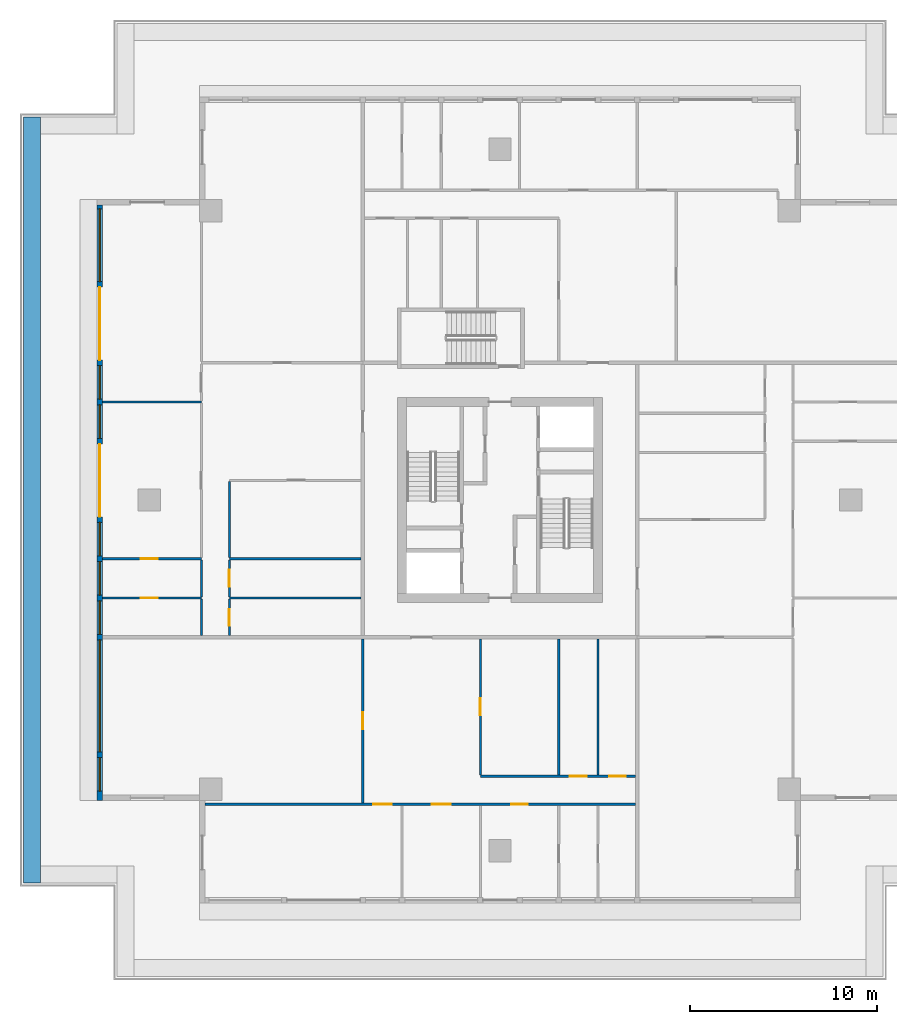
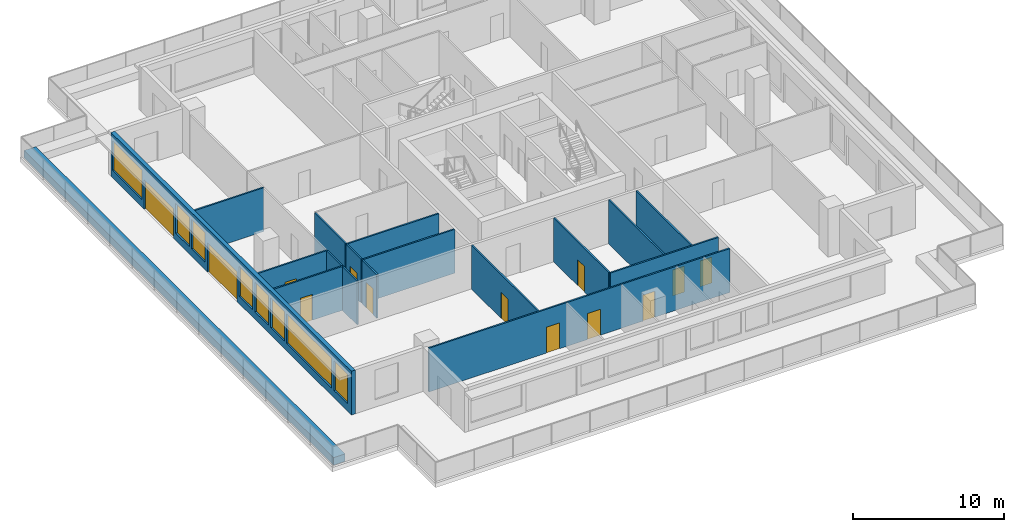
# One storey, part 2 of 11: 18 walls, 13 doors, 8 windows, 21 openings.
"""IFC4 building model written with IfcOpenShell, lengths in metres."""

import ifcopenshell
import ifcopenshell.guid

model = None  # the IFC model being written
_history = None  # IfcOwnerHistory: only IFC2X3 demands one
_inside = {}  # id of a spatial element -> (the spatial element, [elements in it])
_under = {}  # id of a project, library or spatial element -> (it, [spatial elements below it])
_declared = {}  # id of a project -> (the project, [libraries it declares])
_typed = {}  # id of a type object -> (the type object, [elements of that type])
_made_of = {}  # id of a material, layer set ... -> (it, [elements and type objects made of it])


def new_model(schema):
    """Start an empty IFC model of exactly this schema.

    Asked for "IFC4X3", IfcOpenShell would pick the latest addendum, in which some entities
    have other attributes; the version numbers below select the first issue.
    IFC2X3 requires an IfcOwnerHistory on every rooted entity: one is made here for all.
    """
    global model, _history
    if schema == "IFC4X3":
        model = ifcopenshell.file(schema_version=(4, 3, 0, 0))
    else:
        model = ifcopenshell.file(schema=schema)
    _inside.clear()
    _under.clear()
    _declared.clear()
    _typed.clear()
    _made_of.clear()
    _history = None
    if model.schema == "IFC2X3":
        org = make("IfcOrganization", Name="unknown")
        user = make(
            "IfcPersonAndOrganization",
            ThePerson=make("IfcPerson", FamilyName="unknown"),
            TheOrganization=org,
        )
        app = make(
            "IfcApplication",
            ApplicationDeveloper=org,
            Version="unknown",
            ApplicationFullName="unknown",
            ApplicationIdentifier="unknown",
        )
        _history = make(
            "IfcOwnerHistory",
            OwningUser=user,
            OwningApplication=app,
            ChangeAction="ADDED",
            CreationDate=0,
        )
    return model


def make(cls, **values):
    """One entity of the class cls with the attributes given. An attribute that is None is left unset."""
    return model.create_entity(
        cls, **{name: value for name, value in values.items() if value is not None}
    )


def rooted(cls, **values):
    """An entity with a GlobalId (a new one), such as an element, a storey or a relation."""
    return make(cls, GlobalId=ifcopenshell.guid.new(), OwnerHistory=_history, **values)


def si_unit(unit_type, name, prefix=None):
    """IfcSIUnit, for example si_unit("LENGTHUNIT", "METRE", prefix="MILLI")."""
    return make("IfcSIUnit", UnitType=unit_type, Prefix=prefix, Name=name)


def assignment(units):
    """IfcUnitAssignment: the units of a project."""
    return None if units is None else make("IfcUnitAssignment", Units=units)


def point(xyz):
    """IfcCartesianPoint."""
    return None if xyz is None else make("IfcCartesianPoint", Coordinates=xyz)


def direction(xyz):
    """IfcDirection."""
    return None if xyz is None else make("IfcDirection", DirectionRatios=xyz)


def frame(location, z_axis=None, x_axis=None):
    """IfcAxis2Placement3D, a coordinate frame: its origin and axes. An axis left out is left unset."""
    return make(
        "IfcAxis2Placement3D",
        Location=point(location),
        Axis=direction(z_axis),
        RefDirection=direction(x_axis),
    )


def frame_2d(location, x_axis=None):
    """IfcAxis2Placement2D, a coordinate frame in the plane: its origin and x axis."""
    return make(
        "IfcAxis2Placement2D", Location=point(location), RefDirection=direction(x_axis)
    )


def origin():
    """The frame at (0, 0, 0) with its axes left unset."""
    return frame((0.0, 0.0, 0.0))


def place(relative_to, where):
    """IfcLocalPlacement: puts the frame where relative to a parent placement (None: the world)."""
    return make(
        "IfcLocalPlacement", PlacementRelTo=relative_to, RelativePlacement=where
    )


def context(
    kind, dimensions, precision=None, world=None, true_north=None, identifier=None
):
    """IfcGeometricRepresentationContext, for example the 3D "Model" context."""
    return make(
        "IfcGeometricRepresentationContext",
        ContextIdentifier=identifier,
        ContextType=kind,
        CoordinateSpaceDimension=dimensions,
        Precision=precision,
        WorldCoordinateSystem=world,
        TrueNorth=true_north,
    )


def subcontext(parent, identifier, kind, view, scale=None):
    """IfcGeometricRepresentationSubContext, for example "Body" below "Model"."""
    return make(
        "IfcGeometricRepresentationSubContext",
        ContextIdentifier=identifier,
        ContextType=kind,
        ParentContext=parent,
        TargetScale=scale,
        TargetView=view,
    )


def project(units=None, contexts=None):
    """IfcProject with its units and contexts."""
    return rooted(
        "IfcProject",
        Name="project",
        RepresentationContexts=contexts,
        UnitsInContext=assignment(units),
    )


def spatial(cls, under=None, at=None, **own):
    """A site, building, storey or space (cls), placed at a placement, below another one or the project."""
    s = rooted(cls, ObjectPlacement=at, **own)
    if under is not None:
        _under.setdefault(under.id(), (under, []))[1].append(s)
    return s


def profile(cls, at=None, kind="AREA", **sizes):
    """A parametric profile (cls). Its sizes go by their IFC names, for example OverallWidth=200.0."""
    return make(cls, ProfileType=kind, Position=at, **sizes)


def rectangle(**sizes):
    """IfcRectangleProfileDef."""
    return profile("IfcRectangleProfileDef", **sizes)


def extrude(swept, where, along, depth):
    """IfcExtrudedAreaSolid: the profile swept, set in the frame where, extruded along a direction by depth."""
    return make(
        "IfcExtrudedAreaSolid",
        SweptArea=swept,
        Position=where,
        ExtrudedDirection=direction(along),
        Depth=depth,
    )


def shape(context_of_items, identifier, shape_type, items):
    """IfcShapeRepresentation: the items that make up one representation, for example the "Body"."""
    return make(
        "IfcShapeRepresentation",
        ContextOfItems=context_of_items,
        RepresentationIdentifier=identifier,
        RepresentationType=shape_type,
        Items=items,
    )


def material(Name=None, Category=None):
    """IfcMaterial."""
    return make("IfcMaterial", Name=Name, Category=Category)


def layer(
    of_material, thickness, ventilated=None, Name=None, Category=None, Priority=None
):
    """IfcMaterialLayer: one layer of a wall or slab, of a material (None: an air gap)."""
    return make(
        "IfcMaterialLayer",
        Material=of_material,
        LayerThickness=thickness,
        IsVentilated=ventilated,
        Name=Name,
        Category=Category,
        Priority=Priority,
    )


def layer_set(layers, Name=None):
    """IfcMaterialLayerSet."""
    return make("IfcMaterialLayerSet", MaterialLayers=layers, LayerSetName=Name)


def made_of(thing, what):
    """Note that an element or type object is made of a material, layer set ...; save() writes the relation."""
    if what is not None:
        _made_of.setdefault(what.id(), (what, []))[1].append(thing)
    return thing


def type_object(cls, material=None, **own):
    """A type object (cls), such as IfcWallType, which elements share."""
    return made_of(rooted(cls, **own), material)


def element(
    cls,
    number,
    at=None,
    inside=None,
    cuts=None,
    type_object=None,
    material=None,
    context=None,
    identifier="Body",
    shape_type=None,
    held_by="IfcProductDefinitionShape",
    body=None,
    shapes=None,
    **own,
):
    """One element of the class cls, such as IfcWall. Its Tag is "e" and its number.

    at: its placement. inside: the storey or other place that contains it. cuts: it is an
    opening in that element (IfcRelVoidsElement). A single representation is given by context,
    identifier, shape_type and body (its items); several are given by shapes. held_by: the class
    of the entity that holds the representations. save() writes the other relations.
    """
    e = rooted(cls, Tag="e%d" % number, ObjectPlacement=at, **own)
    if body is not None:
        shapes = [shape(context, identifier, shape_type, body)]
    if shapes is not None:
        e.Representation = make(held_by, Representations=shapes)
    if inside is not None:
        _inside.setdefault(inside.id(), (inside, []))[1].append(e)
    if cuts is not None:
        rooted(
            "IfcRelVoidsElement", RelatingBuildingElement=cuts, RelatedOpeningElement=e
        )
    if type_object is not None:
        _typed.setdefault(type_object.id(), (type_object, []))[1].append(e)
    return made_of(e, material)


def fill(opening, filler):
    """IfcRelFillsElement: the door or window that sits in an opening."""
    return rooted(
        "IfcRelFillsElement",
        RelatingOpeningElement=opening,
        RelatedBuildingElement=filler,
    )


def aggregate(whole, parts):
    """IfcRelAggregates: a whole, such as a stair, and the parts it consists of."""
    return rooted("IfcRelAggregates", RelatingObject=whole, RelatedObjects=parts)


def save(model, path):
    """Write the relations noted so far, then the file.

    IfcRelAggregates (storeys below a building ...), IfcRelContainedInSpatialStructure (elements
    in a storey), IfcRelDefinesByType, IfcRelAssociatesMaterial and IfcRelDeclares: one each for
    every whole, place, type object, material and project.
    """
    for whole, parts in _under.values():
        aggregate(whole, parts)
    for where, things in _inside.values():
        rooted(
            "IfcRelContainedInSpatialStructure",
            RelatedElements=things,
            RelatingStructure=where,
        )
    for kind, things in _typed.values():
        rooted("IfcRelDefinesByType", RelatedObjects=things, RelatingType=kind)
    for what, things in _made_of.values():
        rooted("IfcRelAssociatesMaterial", RelatedObjects=things, RelatingMaterial=what)
    for by, libraries in _declared.values():
        rooted("IfcRelDeclares", RelatingContext=by, RelatedDefinitions=libraries)
    model.write(path)


model = new_model("IFC4")

# Units and contexts
model_context = context("Model", 3, precision=1e-05, world=origin(), true_north=direction((0.0, 1.0)))
body_context = subcontext(model_context, "Body", "Model", "MODEL_VIEW")
ifc_project = project(units=[si_unit("LENGTHUNIT", "METRE"), si_unit("AREAUNIT", "SQUARE_METRE"), si_unit("VOLUMEUNIT", "CUBIC_METRE"), si_unit("PLANEANGLEUNIT", "RADIAN"), si_unit("MASSUNIT", "GRAM", prefix="KILO")], contexts=[model_context])

# Site, building, storey
site_placement = place(None, origin())
site = spatial("IfcSite", under=ifc_project, at=site_placement, CompositionType="ELEMENT")
building_placement = place(site_placement, origin())
building = spatial("IfcBuilding", under=site, at=building_placement, Name="Khepri Terraces", CompositionType="ELEMENT")
storey_placement = place(building_placement, frame((0.0, 0.0, 292.800048828125)))
storey = spatial("IfcBuildingStorey", under=building, at=storey_placement, Name="L70", CompositionType="ELEMENT", Elevation=292.800048828125)

# Wall, openings, doors, windows
ifc_material_1 = material(Name="Precast concrete C50/60 warm stone", Category="masonry")
ifc_layer_1 = layer(ifc_material_1, 0.300048828125, Name="Precast concrete C50/60 warm stone", Category="masonry")
ifc_layer_set_1 = layer_set([ifc_layer_1], Name="Precast concrete C50/60 warm stone")
wall_type_1 = type_object("IfcWallType", Name="WL-EXT-PRECAST-300", PredefinedType="STANDARD", material=ifc_layer_set_1)
wall_1_placement = place(storey_placement, frame((-21.449951171875, 15.800048828125, 0.0), z_axis=(0.0, 0.0, 1.0), x_axis=(0.0, -1.0, 0.0)))
wall_1 = element("IfcWall", 1, at=wall_1_placement, inside=storey, type_object=wall_type_1, Name="External wall L70 W", PredefinedType="STANDARD", context=body_context, shape_type="SweptSolid", body=[
    extrude(rectangle(XDim=31.900146484375, YDim=0.300048828125, at=frame_2d((15.9501953125, 0.0))), origin(), (0.0, 0.0, 1.0), 3.550048828125),
])
opening_1_placement = place(wall_1_placement, frame((0.199951171875, 0.0, 0.60009765625)))
opening_1 = element("IfcOpeningElement", 2, at=opening_1_placement, cuts=wall_1, Name="Opening WC2", PredefinedType="OPENING", context=body_context, shape_type="SweptSolid", body=[
    extrude(rectangle(XDim=3.89990234375, YDim=2.39990234375, at=frame_2d((1.949951171875, 1.199951171875))), frame((0.0, 0.16015625, 0.0), z_axis=(0.0, -1.0, 0.0), x_axis=(1.0, 0.0, 0.0)), (0.0, 0.0, 1.0), 0.320068359375),
])
opening_2_placement = place(wall_1_placement, frame((4.39990234375, 0.0, 0.0)))
opening_2 = element("IfcOpeningElement", 3, at=opening_2_placement, cuts=wall_1, Name="Opening ED-L70-09", PredefinedType="OPENING", context=body_context, shape_type="SweptSolid", body=[
    extrude(rectangle(XDim=3.89990234375, YDim=2.39990234375, at=frame_2d((1.949951171875, 1.199951171875))), frame((0.0, 0.16015625, 0.0), z_axis=(0.0, -1.0, 0.0), x_axis=(1.0, 0.0, 0.0)), (0.0, 0.0, 1.0), 0.320068359375),
])
opening_3_placement = place(wall_1_placement, frame((8.60009765625, 0.0, 0.60009765625)))
opening_3 = element("IfcOpeningElement", 4, at=opening_3_placement, cuts=wall_1, Name="Opening WC1", PredefinedType="OPENING", context=body_context, shape_type="SweptSolid", body=[
    extrude(rectangle(XDim=1.800048828125, YDim=2.39990234375, at=frame_2d((0.89990234375, 1.199951171875))), frame((0.0, 0.16015625, 0.0), z_axis=(0.0, -1.0, 0.0), x_axis=(1.0, 0.0, 0.0)), (0.0, 0.0, 1.0), 0.320068359375),
])
opening_4_placement = place(wall_1_placement, frame((10.699951171875, 0.0, 0.60009765625)))
opening_4 = element("IfcOpeningElement", 5, at=opening_4_placement, cuts=wall_1, Name="Opening WC1", PredefinedType="OPENING", context=body_context, shape_type="SweptSolid", body=[
    extrude(rectangle(XDim=1.800048828125, YDim=2.39990234375, at=frame_2d((0.89990234375, 1.199951171875))), frame((0.0, 0.16015625, 0.0), z_axis=(0.0, -1.0, 0.0), x_axis=(1.0, 0.0, 0.0)), (0.0, 0.0, 1.0), 0.320068359375),
])
opening_5_placement = place(wall_1_placement, frame((12.800048828125, 0.0, 0.0)))
opening_5 = element("IfcOpeningElement", 6, at=opening_5_placement, cuts=wall_1, Name="Opening ED-L70-10", PredefinedType="OPENING", context=body_context, shape_type="SweptSolid", body=[
    extrude(rectangle(XDim=3.89990234375, YDim=2.39990234375, at=frame_2d((1.949951171875, 1.199951171875))), frame((0.0, 0.16015625, 0.0), z_axis=(0.0, -1.0, 0.0), x_axis=(1.0, 0.0, 0.0)), (0.0, 0.0, 1.0), 0.320068359375),
])
opening_6_placement = place(wall_1_placement, frame((17.0, 0.0, 0.60009765625)))
opening_6 = element("IfcOpeningElement", 7, at=opening_6_placement, cuts=wall_1, Name="Opening WC1", PredefinedType="OPENING", context=body_context, shape_type="SweptSolid", body=[
    extrude(rectangle(XDim=1.800048828125, YDim=2.39990234375, at=frame_2d((0.89990234375, 1.199951171875))), frame((0.0, 0.16015625, 0.0), z_axis=(0.0, -1.0, 0.0), x_axis=(1.0, 0.0, 0.0)), (0.0, 0.0, 1.0), 0.320068359375),
])
opening_7_placement = place(wall_1_placement, frame((19.10009765625, 0.0, 0.60009765625)))
opening_7 = element("IfcOpeningElement", 8, at=opening_7_placement, cuts=wall_1, Name="Opening WC1", PredefinedType="OPENING", context=body_context, shape_type="SweptSolid", body=[
    extrude(rectangle(XDim=1.800048828125, YDim=2.39990234375, at=frame_2d((0.89990234375, 1.199951171875))), frame((0.0, 0.16015625, 0.0), z_axis=(0.0, -1.0, 0.0), x_axis=(1.0, 0.0, 0.0)), (0.0, 0.0, 1.0), 0.320068359375),
])
opening_8_placement = place(wall_1_placement, frame((21.199951171875, 0.0, 0.60009765625)))
opening_8 = element("IfcOpeningElement", 9, at=opening_8_placement, cuts=wall_1, Name="Opening WC1", PredefinedType="OPENING", context=body_context, shape_type="SweptSolid", body=[
    extrude(rectangle(XDim=1.800048828125, YDim=2.39990234375, at=frame_2d((0.89990234375, 1.199951171875))), frame((0.0, 0.16015625, 0.0), z_axis=(0.0, -1.0, 0.0), x_axis=(1.0, 0.0, 0.0)), (0.0, 0.0, 1.0), 0.320068359375),
])
opening_9_placement = place(wall_1_placement, frame((23.300048828125, 0.0, 0.60009765625)))
opening_9 = element("IfcOpeningElement", 10, at=opening_9_placement, cuts=wall_1, Name="Opening WC3", PredefinedType="OPENING", context=body_context, shape_type="SweptSolid", body=[
    extrude(rectangle(XDim=6.0, YDim=2.39990234375, at=frame_2d((3.0, 1.199951171875))), frame((0.0, 0.16015625, 0.0), z_axis=(0.0, -1.0, 0.0), x_axis=(1.0, 0.0, 0.0)), (0.0, 0.0, 1.0), 0.320068359375),
])
opening_10_placement = place(wall_1_placement, frame((29.60009765625, 0.0, 0.60009765625)))
opening_10 = element("IfcOpeningElement", 11, at=opening_10_placement, cuts=wall_1, Name="Opening WC1", PredefinedType="OPENING", context=body_context, shape_type="SweptSolid", body=[
    extrude(rectangle(XDim=1.800048828125, YDim=2.39990234375, at=frame_2d((0.89990234375, 1.199951171875))), frame((0.0, 0.16015625, 0.0), z_axis=(0.0, -1.0, 0.0), x_axis=(1.0, 0.0, 0.0)), (0.0, 0.0, 1.0), 0.320068359375),
])
ifc_material_2 = material(Name="Anodised aluminium bronze glazed door", Category="aluminium")
door_type_1 = type_object("IfcDoorType", Name="DR-BAL-SLIDE-3900x2400", OperationType="NOTDEFINED", PredefinedType="DOOR", material=ifc_material_2)
door_1_placement = place(opening_2_placement, origin())
door_1 = element("IfcDoor", 12, at=door_1_placement, inside=storey, type_object=door_type_1, Name="Balcony door L70 W", OperationType="SLIDING_TO_RIGHT", OverallHeight=2.39990234375, OverallWidth=3.89990234375, PredefinedType="DOOR", context=body_context, shape_type="SweptSolid", body=[
    extrude(rectangle(XDim=3.89990234375, YDim=2.39990234375, at=frame_2d((1.949951171875, 1.199951171875))), frame((0.0, 0.02490234375, 0.0), z_axis=(0.0, -1.0, 0.0), x_axis=(1.0, 0.0, 0.0)), (0.0, 0.0, 1.0), 0.050048828125),
])
fill(opening_2, door_1)
door_2_placement = place(opening_5_placement, origin())
door_2 = element("IfcDoor", 13, at=door_2_placement, inside=storey, type_object=door_type_1, Name="Balcony door L70 W", OperationType="SLIDING_TO_RIGHT", OverallHeight=2.39990234375, OverallWidth=3.89990234375, PredefinedType="DOOR", context=body_context, shape_type="SweptSolid", body=[
    extrude(rectangle(XDim=3.89990234375, YDim=2.39990234375, at=frame_2d((1.949951171875, 1.199951171875))), frame((0.0, 0.02490234375, 0.0), z_axis=(0.0, -1.0, 0.0), x_axis=(1.0, 0.0, 0.0)), (0.0, 0.0, 1.0), 0.050048828125),
])
fill(opening_5, door_2)
ifc_material_3 = material(Name="Clear glass", Category="glass")
window_type_1 = type_object("IfcWindowType", Name="WIN-CRN-1800x2400", PartitioningType="SINGLE_PANEL", PredefinedType="WINDOW", material=ifc_material_3)
window_1_placement = place(opening_3_placement, origin())
window_1 = element("IfcWindow", 14, at=window_1_placement, inside=storey, type_object=window_type_1, Name="Window L70 W", OverallHeight=2.39990234375, OverallWidth=1.800048828125, PartitioningType="SINGLE_PANEL", PredefinedType="WINDOW", context=body_context, shape_type="SweptSolid", body=[
    extrude(rectangle(XDim=1.800048828125, YDim=2.39990234375, at=frame_2d((0.89990234375, 1.199951171875))), frame((0.0, 0.030029296875, 0.0), z_axis=(0.0, -1.0, 0.0), x_axis=(1.0, 0.0, 0.0)), (0.0, 0.0, 1.0), 0.06005859375),
])
fill(opening_3, window_1)
window_2_placement = place(opening_4_placement, origin())
window_2 = element("IfcWindow", 15, at=window_2_placement, inside=storey, type_object=window_type_1, Name="Window L70 W", OverallHeight=2.39990234375, OverallWidth=1.800048828125, PartitioningType="SINGLE_PANEL", PredefinedType="WINDOW", context=body_context, shape_type="SweptSolid", body=[
    extrude(rectangle(XDim=1.800048828125, YDim=2.39990234375, at=frame_2d((0.89990234375, 1.199951171875))), frame((0.0, 0.030029296875, 0.0), z_axis=(0.0, -1.0, 0.0), x_axis=(1.0, 0.0, 0.0)), (0.0, 0.0, 1.0), 0.06005859375),
])
fill(opening_4, window_2)
window_3_placement = place(opening_6_placement, origin())
window_3 = element("IfcWindow", 16, at=window_3_placement, inside=storey, type_object=window_type_1, Name="Window L70 W", OverallHeight=2.39990234375, OverallWidth=1.800048828125, PartitioningType="SINGLE_PANEL", PredefinedType="WINDOW", context=body_context, shape_type="SweptSolid", body=[
    extrude(rectangle(XDim=1.800048828125, YDim=2.39990234375, at=frame_2d((0.89990234375, 1.199951171875))), frame((0.0, 0.030029296875, 0.0), z_axis=(0.0, -1.0, 0.0), x_axis=(1.0, 0.0, 0.0)), (0.0, 0.0, 1.0), 0.06005859375),
])
fill(opening_6, window_3)
window_4_placement = place(opening_7_placement, origin())
window_4 = element("IfcWindow", 17, at=window_4_placement, inside=storey, type_object=window_type_1, Name="Window L70 W", OverallHeight=2.39990234375, OverallWidth=1.800048828125, PartitioningType="SINGLE_PANEL", PredefinedType="WINDOW", context=body_context, shape_type="SweptSolid", body=[
    extrude(rectangle(XDim=1.800048828125, YDim=2.39990234375, at=frame_2d((0.89990234375, 1.199951171875))), frame((0.0, 0.030029296875, 0.0), z_axis=(0.0, -1.0, 0.0), x_axis=(1.0, 0.0, 0.0)), (0.0, 0.0, 1.0), 0.06005859375),
])
fill(opening_7, window_4)
window_5_placement = place(opening_8_placement, origin())
window_5 = element("IfcWindow", 18, at=window_5_placement, inside=storey, type_object=window_type_1, Name="Window L70 W", OverallHeight=2.39990234375, OverallWidth=1.800048828125, PartitioningType="SINGLE_PANEL", PredefinedType="WINDOW", context=body_context, shape_type="SweptSolid", body=[
    extrude(rectangle(XDim=1.800048828125, YDim=2.39990234375, at=frame_2d((0.89990234375, 1.199951171875))), frame((0.0, 0.030029296875, 0.0), z_axis=(0.0, -1.0, 0.0), x_axis=(1.0, 0.0, 0.0)), (0.0, 0.0, 1.0), 0.06005859375),
])
fill(opening_8, window_5)
window_6_placement = place(opening_10_placement, origin())
window_6 = element("IfcWindow", 19, at=window_6_placement, inside=storey, type_object=window_type_1, Name="Window L70 W", OverallHeight=2.39990234375, OverallWidth=1.800048828125, PartitioningType="SINGLE_PANEL", PredefinedType="WINDOW", context=body_context, shape_type="SweptSolid", body=[
    extrude(rectangle(XDim=1.800048828125, YDim=2.39990234375, at=frame_2d((0.89990234375, 1.199951171875))), frame((0.0, 0.030029296875, 0.0), z_axis=(0.0, -1.0, 0.0), x_axis=(1.0, 0.0, 0.0)), (0.0, 0.0, 1.0), 0.06005859375),
])
fill(opening_10, window_6)
window_type_2 = type_object("IfcWindowType", Name="WIN-CRN-3900x2400", PartitioningType="SINGLE_PANEL", PredefinedType="WINDOW", material=ifc_material_3)
window_7_placement = place(opening_1_placement, origin())
window_7 = element("IfcWindow", 20, at=window_7_placement, inside=storey, type_object=window_type_2, Name="Window L70 W", OverallHeight=2.39990234375, OverallWidth=3.89990234375, PartitioningType="SINGLE_PANEL", PredefinedType="WINDOW", context=body_context, shape_type="SweptSolid", body=[
    extrude(rectangle(XDim=3.89990234375, YDim=2.39990234375, at=frame_2d((1.949951171875, 1.199951171875))), frame((0.0, 0.030029296875, 0.0), z_axis=(0.0, -1.0, 0.0), x_axis=(1.0, 0.0, 0.0)), (0.0, 0.0, 1.0), 0.06005859375),
])
fill(opening_1, window_7)
window_type_3 = type_object("IfcWindowType", Name="WIN-CRN-6000x2400", PartitioningType="SINGLE_PANEL", PredefinedType="WINDOW", material=ifc_material_3)
window_8_placement = place(opening_9_placement, origin())
window_8 = element("IfcWindow", 21, at=window_8_placement, inside=storey, type_object=window_type_3, Name="Window L70 W", OverallHeight=2.39990234375, OverallWidth=6.0, PartitioningType="SINGLE_PANEL", PredefinedType="WINDOW", context=body_context, shape_type="SweptSolid", body=[
    extrude(rectangle(XDim=6.0, YDim=2.39990234375, at=frame_2d((3.0, 1.199951171875))), frame((0.0, 0.030029296875, 0.0), z_axis=(0.0, -1.0, 0.0), x_axis=(1.0, 0.0, 0.0)), (0.0, 0.0, 1.0), 0.06005859375),
])
fill(opening_9, window_8)

# Wall, openings, doors
ifc_material_4 = material(Name="Gypsum plasterboard partition")
ifc_layer_2 = layer(ifc_material_4, 0.1201171875, Name="Gypsum plasterboard partition")
ifc_layer_set_2 = layer_set([ifc_layer_2], Name="Gypsum plasterboard partition")
wall_type_2 = type_object("IfcWallType", Name="WL-PART-120", PredefinedType="PARTITIONING", material=ifc_layer_set_2)
wall_2_placement = place(storey_placement, frame((-15.800048828125, -16.300048828125, 0.0), z_axis=(0.0, 0.0, 1.0), x_axis=(1.0, 0.0, 0.0)))
wall_2 = element("IfcWall", 22, at=wall_2_placement, inside=storey, type_object=wall_type_2, Name="Partition P-006 L70", PredefinedType="PARTITIONING", context=body_context, shape_type="SweptSolid", body=[
    extrude(rectangle(XDim=23.050048828125, YDim=0.1201171875, at=frame_2d((11.52490234375, 0.0))), origin(), (0.0, 0.0, 1.0), 3.550048828125),
])
opening_11_placement = place(wall_2_placement, frame((9.0, 0.0, 0.0)))
opening_11 = element("IfcOpeningElement", 23, at=opening_11_placement, cuts=wall_2, Name="Opening D2", PredefinedType="OPENING", context=body_context, shape_type="SweptSolid", body=[
    extrude(rectangle(XDim=1.0, YDim=2.10009765625, at=frame_2d((0.5, 1.050048828125))), frame((0.0, 0.070068359375, 0.0), z_axis=(0.0, -1.0, 0.0), x_axis=(1.0, 0.0, 0.0)), (0.0, 0.0, 1.0), 0.14013671875),
])
opening_12_placement = place(wall_2_placement, frame((12.14990234375, 0.0, 0.0)))
opening_12 = element("IfcOpeningElement", 24, at=opening_12_placement, cuts=wall_2, Name="Opening D2", PredefinedType="OPENING", context=body_context, shape_type="SweptSolid", body=[
    extrude(rectangle(XDim=1.0, YDim=2.10009765625, at=frame_2d((0.5, 1.050048828125))), frame((0.0, 0.070068359375, 0.0), z_axis=(0.0, -1.0, 0.0), x_axis=(1.0, 0.0, 0.0)), (0.0, 0.0, 1.0), 0.14013671875),
])
opening_13_placement = place(wall_2_placement, frame((16.39990234375, 0.0, 0.0)))
opening_13 = element("IfcOpeningElement", 25, at=opening_13_placement, cuts=wall_2, Name="Opening D3", PredefinedType="OPENING", context=body_context, shape_type="SweptSolid", body=[
    extrude(rectangle(XDim=0.89990234375, YDim=2.10009765625, at=frame_2d((0.449951171875, 1.050048828125))), frame((0.0, 0.070068359375, 0.0), z_axis=(0.0, -1.0, 0.0), x_axis=(1.0, 0.0, 0.0)), (0.0, 0.0, 1.0), 0.14013671875),
])
ifc_material_5 = material(Name="Timber door leaf, living room door", Category="wood")
door_type_2 = type_object("IfcDoorType", Name="DR-INT-1000", OperationType="NOTDEFINED", PredefinedType="DOOR", material=ifc_material_5)
door_3_placement = place(opening_11_placement, frame((1.0, 0.0, 0.0), z_axis=(0.0, 0.0, 1.0), x_axis=(-1.0, 0.0, 0.0)))
door_3 = element("IfcDoor", 26, at=door_3_placement, inside=storey, type_object=door_type_2, Name="Door Living Room", OperationType="SINGLE_SWING_RIGHT", OverallHeight=2.10009765625, OverallWidth=1.0, PredefinedType="DOOR", context=body_context, shape_type="SweptSolid", body=[
    extrude(rectangle(XDim=1.0, YDim=2.10009765625, at=frame_2d((0.5, 1.050048828125))), frame((0.0, 0.02490234375, 0.0), z_axis=(0.0, -1.0, 0.0), x_axis=(1.0, 0.0, 0.0)), (0.0, 0.0, 1.0), 0.050048828125),
])
fill(opening_11, door_3)
door_4_placement = place(opening_12_placement, frame((1.0, 0.0, 0.0), z_axis=(0.0, 0.0, 1.0), x_axis=(-1.0, 0.0, 0.0)))
door_4 = element("IfcDoor", 27, at=door_4_placement, inside=storey, type_object=door_type_2, Name="Door Dining Room", OperationType="SINGLE_SWING_LEFT", OverallHeight=2.10009765625, OverallWidth=1.0, PredefinedType="DOOR", context=body_context, shape_type="SweptSolid", body=[
    extrude(rectangle(XDim=1.0, YDim=2.10009765625, at=frame_2d((0.5, 1.050048828125))), frame((0.0, 0.02490234375, 0.0), z_axis=(0.0, -1.0, 0.0), x_axis=(1.0, 0.0, 0.0)), (0.0, 0.0, 1.0), 0.050048828125),
])
fill(opening_12, door_4)
ifc_material_6 = material(Name="Timber door leaf", Category="wood")
door_type_3 = type_object("IfcDoorType", Name="DR-INT-900", OperationType="NOTDEFINED", PredefinedType="DOOR", material=ifc_material_6)
door_5_placement = place(opening_13_placement, frame((0.89990234375, 0.0, 0.0), z_axis=(0.0, 0.0, 1.0), x_axis=(-1.0, 0.0, 0.0)))
door_5 = element("IfcDoor", 28, at=door_5_placement, inside=storey, type_object=door_type_3, Name="Door Master Bedroom", OperationType="SINGLE_SWING_LEFT", OverallHeight=2.10009765625, OverallWidth=0.89990234375, PredefinedType="DOOR", context=body_context, shape_type="SweptSolid", body=[
    extrude(rectangle(XDim=0.89990234375, YDim=2.10009765625, at=frame_2d((0.449951171875, 1.050048828125))), frame((0.0, 0.02490234375, 0.0), z_axis=(0.0, -1.0, 0.0), x_axis=(1.0, 0.0, 0.0)), (0.0, 0.0, 1.0), 0.050048828125),
])
fill(opening_13, door_5)

# Wall, opening, door
wall_3_placement = place(storey_placement, frame((-7.35009765625, -16.239990234375, 0.0), z_axis=(0.0, 0.0, 1.0), x_axis=(0.0, 1.0, 0.0)))
wall_3 = element("IfcWall", 29, at=wall_3_placement, inside=storey, type_object=wall_type_2, Name="Partition P-007 L70", PredefinedType="PARTITIONING", context=body_context, shape_type="SweptSolid", body=[
    extrude(rectangle(XDim=8.7900390625, YDim=0.1201171875, at=frame_2d((4.39501953125, 0.0))), origin(), (0.0, 0.0, 1.0), 3.550048828125),
])
opening_14_placement = place(wall_3_placement, frame((3.965087890625, 0.0, 0.0)))
opening_14 = element("IfcOpeningElement", 30, at=opening_14_placement, cuts=wall_3, Name="Opening D3", PredefinedType="OPENING", context=body_context, shape_type="SweptSolid", body=[
    extrude(rectangle(XDim=0.89990234375, YDim=2.10009765625, at=frame_2d((0.449951171875, 1.050048828125))), frame((0.0, 0.070068359375, 0.0), z_axis=(0.0, -1.0, 0.0), x_axis=(1.0, 0.0, 0.0)), (0.0, 0.0, 1.0), 0.14013671875),
])
door_6_placement = place(opening_14_placement, origin())
door_6 = element("IfcDoor", 31, at=door_6_placement, inside=storey, type_object=door_type_3, Name="Door Library", OperationType="SINGLE_SWING_RIGHT", OverallHeight=2.10009765625, OverallWidth=0.89990234375, PredefinedType="DOOR", context=body_context, shape_type="SweptSolid", body=[
    extrude(rectangle(XDim=0.89990234375, YDim=2.10009765625, at=frame_2d((0.449951171875, 1.050048828125))), frame((0.0, 0.02490234375, 0.0), z_axis=(0.0, -1.0, 0.0), x_axis=(1.0, 0.0, 0.0)), (0.0, 0.0, 1.0), 0.050048828125),
])
fill(opening_14, door_6)

# Wall, openings, doors
wall_4_placement = place(storey_placement, frame((-1.050048828125, -14.800048828125, 0.0), z_axis=(0.0, 0.0, 1.0), x_axis=(1.0, 0.0, 0.0)))
wall_4 = element("IfcWall", 32, at=wall_4_placement, inside=storey, type_object=wall_type_2, Name="Partition P-009 L70", PredefinedType="PARTITIONING", context=body_context, shape_type="SweptSolid", body=[
    extrude(rectangle(XDim=8.300048828125, YDim=0.1201171875, at=frame_2d((4.14990234375, 0.0))), origin(), (0.0, 0.0, 1.0), 3.550048828125),
])
opening_15_placement = place(wall_4_placement, frame((4.800048828125, 0.0, 0.0)))
opening_15 = element("IfcOpeningElement", 33, at=opening_15_placement, cuts=wall_4, Name="Opening D4", PredefinedType="OPENING", context=body_context, shape_type="SweptSolid", body=[
    extrude(rectangle(XDim=0.89990234375, YDim=2.10009765625, at=frame_2d((0.449951171875, 1.050048828125))), frame((0.0, 0.070068359375, 0.0), z_axis=(0.0, -1.0, 0.0), x_axis=(1.0, 0.0, 0.0)), (0.0, 0.0, 1.0), 0.14013671875),
])
opening_16_placement = place(wall_4_placement, frame((6.89990234375, 0.0, 0.0)))
opening_16 = element("IfcOpeningElement", 34, at=opening_16_placement, cuts=wall_4, Name="Opening D4", PredefinedType="OPENING", context=body_context, shape_type="SweptSolid", body=[
    extrude(rectangle(XDim=0.89990234375, YDim=2.10009765625, at=frame_2d((0.449951171875, 1.050048828125))), frame((0.0, 0.070068359375, 0.0), z_axis=(0.0, -1.0, 0.0), x_axis=(1.0, 0.0, 0.0)), (0.0, 0.0, 1.0), 0.14013671875),
])
ifc_material_7 = material(Name="Timber door leaf, moisture resistant", Category="wood")
door_type_4 = type_object("IfcDoorType", Name="DR-WET-900", OperationType="NOTDEFINED", PredefinedType="DOOR", material=ifc_material_7)
door_7_placement = place(opening_15_placement, origin())
door_7 = element("IfcDoor", 35, at=door_7_placement, inside=storey, type_object=door_type_4, Name="Door Guest Bathroom", OperationType="SINGLE_SWING_RIGHT", OverallHeight=2.10009765625, OverallWidth=0.89990234375, PredefinedType="DOOR", context=body_context, shape_type="SweptSolid", body=[
    extrude(rectangle(XDim=0.89990234375, YDim=2.10009765625, at=frame_2d((0.449951171875, 1.050048828125))), frame((0.0, 0.02490234375, 0.0), z_axis=(0.0, -1.0, 0.0), x_axis=(1.0, 0.0, 0.0)), (0.0, 0.0, 1.0), 0.050048828125),
])
fill(opening_15, door_7)
door_8_placement = place(opening_16_placement, origin())
door_8 = element("IfcDoor", 36, at=door_8_placement, inside=storey, type_object=door_type_4, Name="Door Powder Room", OperationType="SINGLE_SWING_RIGHT", OverallHeight=2.10009765625, OverallWidth=0.89990234375, PredefinedType="DOOR", context=body_context, shape_type="SweptSolid", body=[
    extrude(rectangle(XDim=0.89990234375, YDim=2.10009765625, at=frame_2d((0.449951171875, 1.050048828125))), frame((0.0, 0.02490234375, 0.0), z_axis=(0.0, -1.0, 0.0), x_axis=(1.0, 0.0, 0.0)), (0.0, 0.0, 1.0), 0.050048828125),
])
fill(opening_16, door_8)

# Wall, opening, door
wall_5_placement = place(storey_placement, frame((-1.050048828125, -14.739990234375, 0.0), z_axis=(0.0, 0.0, 1.0), x_axis=(0.0, 1.0, 0.0)))
wall_5 = element("IfcWall", 37, at=wall_5_placement, inside=storey, type_object=wall_type_2, Name="Partition P-010 L70", PredefinedType="PARTITIONING", context=body_context, shape_type="SweptSolid", body=[
    extrude(rectangle(XDim=7.2900390625, YDim=0.1201171875, at=frame_2d((3.64501953125, 0.0))), origin(), (0.0, 0.0, 1.0), 3.550048828125),
])
opening_17_placement = place(wall_5_placement, frame((3.215087890625, 0.0, 0.0)))
opening_17 = element("IfcOpeningElement", 38, at=opening_17_placement, cuts=wall_5, Name="Opening D3", PredefinedType="OPENING", context=body_context, shape_type="SweptSolid", body=[
    extrude(rectangle(XDim=0.89990234375, YDim=2.10009765625, at=frame_2d((0.449951171875, 1.050048828125))), frame((0.0, 0.070068359375, 0.0), z_axis=(0.0, -1.0, 0.0), x_axis=(1.0, 0.0, 0.0)), (0.0, 0.0, 1.0), 0.14013671875),
])
door_9_placement = place(opening_17_placement, frame((0.89990234375, 0.0, 0.0), z_axis=(0.0, 0.0, 1.0), x_axis=(-1.0, 0.0, 0.0)))
door_9 = element("IfcDoor", 39, at=door_9_placement, inside=storey, type_object=door_type_3, Name="Door Kitchen", OperationType="SINGLE_SWING_LEFT", OverallHeight=2.10009765625, OverallWidth=0.89990234375, PredefinedType="DOOR", context=body_context, shape_type="SweptSolid", body=[
    extrude(rectangle(XDim=0.89990234375, YDim=2.10009765625, at=frame_2d((0.449951171875, 1.050048828125))), frame((0.0, 0.02490234375, 0.0), z_axis=(0.0, -1.0, 0.0), x_axis=(1.0, 0.0, 0.0)), (0.0, 0.0, 1.0), 0.050048828125),
])
fill(opening_17, door_9)

# Walls
for number, where, z_axis, x_axis, name in (
    (40, (3.14990234375, -14.739990234375, 0.0), (0.0, 0.0, 1.0), (0.0, 1.0, 0.0), "Partition P-011 L70"),
    (41, (5.25, -14.739990234375, 0.0), (0.0, 0.0, 1.0), (0.0, 1.0, 0.0), "Partition P-012 L70"),
):
    element("IfcWall", number, at=place(storey_placement, frame(where, z_axis=z_axis, x_axis=x_axis)), inside=storey, type_object=wall_type_2, Name=name, PredefinedType="PARTITIONING", context=body_context, shape_type="SweptSolid", body=[
        extrude(rectangle(XDim=7.2900390625, YDim=0.1201171875, at=frame_2d((3.64501953125, 0.0))), origin(), (0.0, 0.0, 1.0), 3.550048828125),
    ])
wall_6_placement = place(storey_placement, frame((-16.0, -7.25, 0.0), z_axis=(0.0, 0.0, 1.0), x_axis=(0.0, 1.0, 0.0)))
element("IfcWall", 42, at=wall_6_placement, inside=storey, type_object=wall_type_2, Name="Partition P-016 L70", PredefinedType="PARTITIONING", context=body_context, shape_type="SweptSolid", body=[
    extrude(rectangle(XDim=1.93994140625, YDim=0.1201171875, at=frame_2d((0.969970703125, 0.0))), origin(), (0.0, 0.0, 1.0), 3.550048828125),
])

# Wall, opening, door
wall_7_placement = place(storey_placement, frame((-14.5, -7.25, 0.0), z_axis=(0.0, 0.0, 1.0), x_axis=(0.0, 1.0, 0.0)))
wall_7 = element("IfcWall", 43, at=wall_7_placement, inside=storey, type_object=wall_type_2, Name="Partition P-017 L70", PredefinedType="PARTITIONING", context=body_context, shape_type="SweptSolid", body=[
    extrude(rectangle(XDim=1.93994140625, YDim=0.1201171875, at=frame_2d((0.969970703125, 0.0))), origin(), (0.0, 0.0, 1.0), 3.550048828125),
])
opening_18_placement = place(wall_7_placement, frame((0.5, 0.0, 0.0)))
opening_18 = element("IfcOpeningElement", 44, at=opening_18_placement, cuts=wall_7, Name="Opening D4", PredefinedType="OPENING", context=body_context, shape_type="SweptSolid", body=[
    extrude(rectangle(XDim=0.89990234375, YDim=2.10009765625, at=frame_2d((0.449951171875, 1.050048828125))), frame((0.0, 0.070068359375, 0.0), z_axis=(0.0, -1.0, 0.0), x_axis=(1.0, 0.0, 0.0)), (0.0, 0.0, 1.0), 0.14013671875),
])
door_10_placement = place(opening_18_placement, frame((0.89990234375, 0.0, 0.0), z_axis=(0.0, 0.0, 1.0), x_axis=(-1.0, 0.0, 0.0)))
door_10 = element("IfcDoor", 45, at=door_10_placement, inside=storey, type_object=door_type_4, Name="Door Powder Room", OperationType="SINGLE_SWING_RIGHT", OverallHeight=2.10009765625, OverallWidth=0.89990234375, PredefinedType="DOOR", context=body_context, shape_type="SweptSolid", body=[
    extrude(rectangle(XDim=0.89990234375, YDim=2.10009765625, at=frame_2d((0.449951171875, 1.050048828125))), frame((0.0, 0.02490234375, 0.0), z_axis=(0.0, -1.0, 0.0), x_axis=(1.0, 0.0, 0.0)), (0.0, 0.0, 1.0), 0.050048828125),
])
fill(opening_18, door_10)

wall_8_placement = place(storey_placement, frame((-21.300048828125, -5.25, 0.0), z_axis=(0.0, 0.0, 1.0), x_axis=(1.0, 0.0, 0.0)))
wall_8 = element("IfcWall", 46, at=wall_8_placement, inside=storey, type_object=wall_type_2, Name="Partition P-020 L70", PredefinedType="PARTITIONING", context=body_context, shape_type="SweptSolid", body=[
    extrude(rectangle(XDim=5.300048828125, YDim=0.1201171875, at=frame_2d((2.64990234375, 0.0))), origin(), (0.0, 0.0, 1.0), 3.550048828125),
])
opening_19_placement = place(wall_8_placement, frame((2.050048828125, 0.0, 0.0)))
opening_19 = element("IfcOpeningElement", 47, at=opening_19_placement, cuts=wall_8, Name="Opening D4", PredefinedType="OPENING", context=body_context, shape_type="SweptSolid", body=[
    extrude(rectangle(XDim=0.89990234375, YDim=2.10009765625, at=frame_2d((0.449951171875, 1.050048828125))), frame((0.0, 0.070068359375, 0.0), z_axis=(0.0, -1.0, 0.0), x_axis=(1.0, 0.0, 0.0)), (0.0, 0.0, 1.0), 0.14013671875),
])
door_11_placement = place(opening_19_placement, frame((0.89990234375, 0.0, 0.0), z_axis=(0.0, 0.0, 1.0), x_axis=(-1.0, 0.0, 0.0)))
door_11 = element("IfcDoor", 48, at=door_11_placement, inside=storey, type_object=door_type_4, Name="Door Bathroom", OperationType="SINGLE_SWING_RIGHT", OverallHeight=2.10009765625, OverallWidth=0.89990234375, PredefinedType="DOOR", context=body_context, shape_type="SweptSolid", body=[
    extrude(rectangle(XDim=0.89990234375, YDim=2.10009765625, at=frame_2d((0.449951171875, 1.050048828125))), frame((0.0, 0.02490234375, 0.0), z_axis=(0.0, -1.0, 0.0), x_axis=(1.0, 0.0, 0.0)), (0.0, 0.0, 1.0), 0.050048828125),
])
fill(opening_19, door_11)

# Walls
wall_9_placement = place(storey_placement, frame((-14.5, -5.25, 0.0), z_axis=(0.0, 0.0, 1.0), x_axis=(1.0, 0.0, 0.0)))
element("IfcWall", 49, at=wall_9_placement, inside=storey, type_object=wall_type_2, Name="Partition P-021 L70", PredefinedType="PARTITIONING", context=body_context, shape_type="SweptSolid", body=[
    extrude(rectangle(XDim=7.050048828125, YDim=0.1201171875, at=frame_2d((3.52490234375, 0.0))), origin(), (0.0, 0.0, 1.0), 3.550048828125),
])
wall_10_placement = place(storey_placement, frame((-16.0, -5.18994140625, 0.0), z_axis=(0.0, 0.0, 1.0), x_axis=(0.0, 1.0, 0.0)))
element("IfcWall", 50, at=wall_10_placement, inside=storey, type_object=wall_type_2, Name="Partition P-023 L70", PredefinedType="PARTITIONING", context=body_context, shape_type="SweptSolid", body=[
    extrude(rectangle(XDim=1.97998046875, YDim=0.1201171875, at=frame_2d((0.989990234375, 0.0))), origin(), (0.0, 0.0, 1.0), 3.550048828125),
])

# Wall, opening, door
wall_11_placement = place(storey_placement, frame((-14.5, -5.18994140625, 0.0), z_axis=(0.0, 0.0, 1.0), x_axis=(0.0, 1.0, 0.0)))
wall_11 = element("IfcWall", 51, at=wall_11_placement, inside=storey, type_object=wall_type_2, Name="Partition P-024 L70", PredefinedType="PARTITIONING", context=body_context, shape_type="SweptSolid", body=[
    extrude(rectangle(XDim=1.97998046875, YDim=0.1201171875, at=frame_2d((0.989990234375, 0.0))), origin(), (0.0, 0.0, 1.0), 3.550048828125),
])
opening_20_placement = place(wall_11_placement, frame((0.5400390625, 0.0, 0.0)))
opening_20 = element("IfcOpeningElement", 52, at=opening_20_placement, cuts=wall_11, Name="Opening D4", PredefinedType="OPENING", context=body_context, shape_type="SweptSolid", body=[
    extrude(rectangle(XDim=0.89990234375, YDim=2.10009765625, at=frame_2d((0.449951171875, 1.050048828125))), frame((0.0, 0.070068359375, 0.0), z_axis=(0.0, -1.0, 0.0), x_axis=(1.0, 0.0, 0.0)), (0.0, 0.0, 1.0), 0.14013671875),
])
door_12_placement = place(opening_20_placement, frame((0.89990234375, 0.0, 0.0), z_axis=(0.0, 0.0, 1.0), x_axis=(-1.0, 0.0, 0.0)))
door_12 = element("IfcDoor", 53, at=door_12_placement, inside=storey, type_object=door_type_4, Name="Door Guest Bathroom", OperationType="SINGLE_SWING_LEFT", OverallHeight=2.10009765625, OverallWidth=0.89990234375, PredefinedType="DOOR", context=body_context, shape_type="SweptSolid", body=[
    extrude(rectangle(XDim=0.89990234375, YDim=2.10009765625, at=frame_2d((0.449951171875, 1.050048828125))), frame((0.0, 0.02490234375, 0.0), z_axis=(0.0, -1.0, 0.0), x_axis=(1.0, 0.0, 0.0)), (0.0, 0.0, 1.0), 0.050048828125),
])
fill(opening_20, door_12)

wall_12_placement = place(storey_placement, frame((-21.300048828125, -3.14990234375, 0.0), z_axis=(0.0, 0.0, 1.0), x_axis=(1.0, 0.0, 0.0)))
wall_12 = element("IfcWall", 54, at=wall_12_placement, inside=storey, type_object=wall_type_2, Name="Partition P-026 L70", PredefinedType="PARTITIONING", context=body_context, shape_type="SweptSolid", body=[
    extrude(rectangle(XDim=5.300048828125, YDim=0.1201171875, at=frame_2d((2.64990234375, 0.0))), origin(), (0.0, 0.0, 1.0), 3.550048828125),
])
opening_21_placement = place(wall_12_placement, frame((2.050048828125, 0.0, 0.0)))
opening_21 = element("IfcOpeningElement", 55, at=opening_21_placement, cuts=wall_12, Name="Opening D3", PredefinedType="OPENING", context=body_context, shape_type="SweptSolid", body=[
    extrude(rectangle(XDim=0.89990234375, YDim=2.10009765625, at=frame_2d((0.449951171875, 1.050048828125))), frame((0.0, 0.070068359375, 0.0), z_axis=(0.0, -1.0, 0.0), x_axis=(1.0, 0.0, 0.0)), (0.0, 0.0, 1.0), 0.14013671875),
])
door_13_placement = place(opening_21_placement, frame((0.89990234375, 0.0, 0.0), z_axis=(0.0, 0.0, 1.0), x_axis=(-1.0, 0.0, 0.0)))
door_13 = element("IfcDoor", 56, at=door_13_placement, inside=storey, type_object=door_type_3, Name="Door Dressing Room", OperationType="SINGLE_SWING_RIGHT", OverallHeight=2.10009765625, OverallWidth=0.89990234375, PredefinedType="DOOR", context=body_context, shape_type="SweptSolid", body=[
    extrude(rectangle(XDim=0.89990234375, YDim=2.10009765625, at=frame_2d((0.449951171875, 1.050048828125))), frame((0.0, 0.02490234375, 0.0), z_axis=(0.0, -1.0, 0.0), x_axis=(1.0, 0.0, 0.0)), (0.0, 0.0, 1.0), 0.050048828125),
])
fill(opening_21, door_13)

# Walls
wall_13_placement = place(storey_placement, frame((-14.5, -3.14990234375, 0.0), z_axis=(0.0, 0.0, 1.0), x_axis=(1.0, 0.0, 0.0)))
element("IfcWall", 57, at=wall_13_placement, inside=storey, type_object=wall_type_2, Name="Partition P-027 L70", PredefinedType="PARTITIONING", context=body_context, shape_type="SweptSolid", body=[
    extrude(rectangle(XDim=7.050048828125, YDim=0.1201171875, at=frame_2d((3.52490234375, 0.0))), origin(), (0.0, 0.0, 1.0), 3.550048828125),
])
wall_14_placement = place(storey_placement, frame((-14.5, -3.090087890625, 0.0), z_axis=(0.0, 0.0, 1.0), x_axis=(0.0, 1.0, 0.0)))
element("IfcWall", 58, at=wall_14_placement, inside=storey, type_object=wall_type_2, Name="Partition P-029 L70", PredefinedType="PARTITIONING", context=body_context, shape_type="SweptSolid", body=[
    extrude(rectangle(XDim=4.080078125, YDim=0.1201171875, at=frame_2d((2.0400390625, 0.0))), origin(), (0.0, 0.0, 1.0), 3.550048828125),
])
wall_15_placement = place(storey_placement, frame((-21.300048828125, 5.25, 0.0), z_axis=(0.0, 0.0, 1.0), x_axis=(1.0, 0.0, 0.0)))
element("IfcWall", 59, at=wall_15_placement, inside=storey, type_object=wall_type_2, Name="Partition P-039 L70", PredefinedType="PARTITIONING", context=body_context, shape_type="SweptSolid", body=[
    extrude(rectangle(XDim=5.300048828125, YDim=0.1201171875, at=frame_2d((2.64990234375, 0.0))), origin(), (0.0, 0.0, 1.0), 3.550048828125),
])
ifc_layer_3 = layer(ifc_material_1, 0.89990234375, Name="Precast concrete C50/60 warm stone", Category="masonry")
ifc_layer_set_3 = layer_set([ifc_layer_3], Name="Precast concrete C50/60 warm stone")
wall_type_3 = type_object("IfcWallType", Name="WL-PLANTER-900", PredefinedType="MOVABLE", material=ifc_layer_set_3)
wall_16_placement = place(storey_placement, frame((-25.070068359375, -20.52001953125, 0.0), z_axis=(0.0, 0.0, 1.0), x_axis=(0.0, 1.0, 0.0)))
element("IfcWall", 60, at=wall_16_placement, inside=storey, type_object=wall_type_3, Name="Planter L70", PredefinedType="MOVABLE", context=body_context, shape_type="SweptSolid", body=[
    extrude(rectangle(XDim=41.0400390625, YDim=0.89990234375, at=frame_2d((20.52001953125, 0.0))), origin(), (0.0, 0.0, 1.0), 0.599853515625),
])

save(model, "model.ifc")
